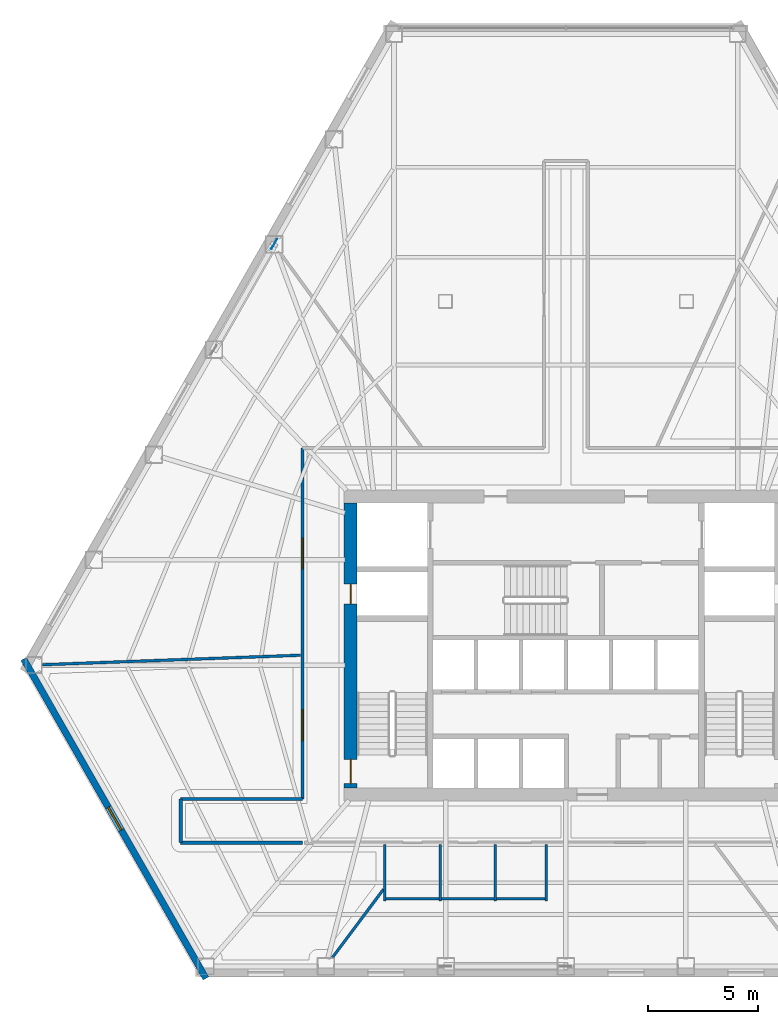
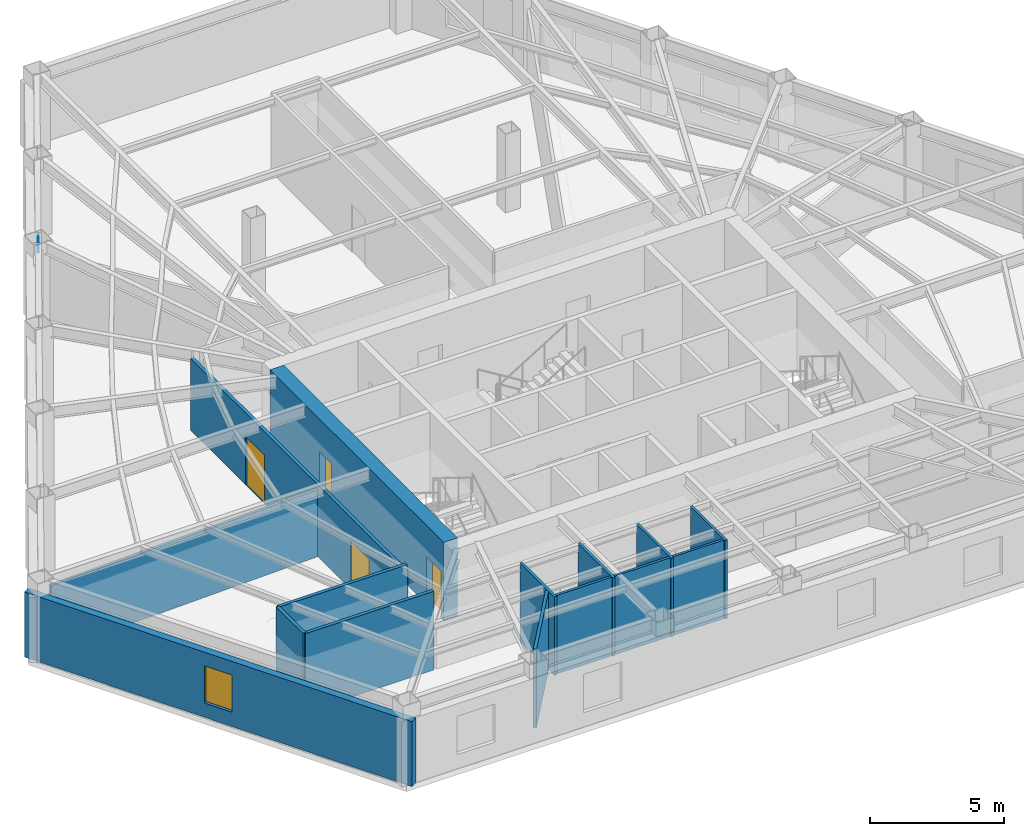
# One storey, part 6 of 12: 13 walls, 4 doors, 1 plate, 1 window, 5 openings.
"""IFC4 building model written with IfcOpenShell, lengths in metres."""

from ifc_helpers import new_model, si_unit, direction, frame, frame_2d, origin, origin_2d, place, context, subcontext, project, spatial, rectangle, extrude, material, layer, layer_set, type_object, element, fill, save


model = new_model("IFC4")

# Units and contexts
model_context = context("Model", 3, precision=1e-05, world=origin(), true_north=direction((0.0, 1.0)))
body_context = subcontext(model_context, "Body", "Model", "MODEL_VIEW")
ifc_project = project(units=[si_unit("LENGTHUNIT", "METRE"), si_unit("AREAUNIT", "SQUARE_METRE"), si_unit("VOLUMEUNIT", "CUBIC_METRE"), si_unit("PLANEANGLEUNIT", "RADIAN"), si_unit("MASSUNIT", "GRAM", prefix="KILO")], contexts=[model_context])

# Site, building, storey
site_placement = place(None, origin())
site = spatial("IfcSite", under=ifc_project, at=site_placement, CompositionType="ELEMENT")
building_placement = place(site_placement, origin())
building = spatial("IfcBuilding", under=site, at=building_placement, Name="Kavelnor Concourse Tower", CompositionType="ELEMENT")
storey_placement = place(building_placement, frame((0.0, 0.0, 21.39990234375)))
storey = spatial("IfcBuildingStorey", under=building, at=storey_placement, Name="L05", CompositionType="ELEMENT", Elevation=21.39990234375)

# Plate
ifc_material_1 = material(Name="Steel Grade 350", Category="steel")
ifc_layer_1 = layer(ifc_material_1, 0.031982421875, Name="Steel Grade 350")
ifc_layer_set_1 = layer_set([ifc_layer_1], Name="Steel Grade 350")
plate_type = type_object("IfcPlateType", Name="PL-GUSSET-TUBE-Z1", PredefinedType="USERDEFINED", material=ifc_layer_set_1)
plate_placement = place(storey_placement, frame((24.690185546875, 34.404052734375, 3.07421875), z_axis=(0.0, 0.0, 1.0), x_axis=(0.495761847839, 0.86845851382, 0.0)))
element("IfcPlate", 1, at=plate_placement, inside=storey, type_object=plate_type, Name="L05 Tube Brace Gusset GP3 F0-B2 End Gusset B", ObjectType="GUSSET_PLATE", PredefinedType="USERDEFINED", context=body_context, shape_type="SweptSolid", body=[
    extrude(rectangle(XDim=0.52001953125, YDim=0.031982421875, at=origin_2d()), origin(), (0.0, 0.0, 1.0), 0.419921875),
])

# Wall, openings, doors
ifc_material_2 = material(Name="Concrete C60/75", Category="concrete")
ifc_layer_2 = layer(ifc_material_2, 0.60009765625, Name="Concrete C60/75")
ifc_layer_set_2 = layer_set([ifc_layer_2], Name="Concrete C60/75")
wall_type_1 = type_object("IfcWallType", Name="WL-CORE-Z1-600", PredefinedType="SOLIDWALL", material=ifc_layer_set_2)
wall_1_placement = place(storey_placement, frame((28.179931640625, 9.60009765625, 0.0), z_axis=(0.0, 0.0, 1.0), x_axis=(0.0, 1.0, 0.0)))
wall_1 = element("IfcWall", 2, at=wall_1_placement, inside=storey, type_object=wall_type_1, Name="L05 Central Core West Shear Wall", PredefinedType="SOLIDWALL", context=body_context, shape_type="SweptSolid", body=[
    extrude(rectangle(XDim=13.0, YDim=0.60009765625, at=frame_2d((6.5, 0.0))), origin(), (0.0, 0.0, 1.0), 3.590087890625),
])
opening_1_placement = place(wall_1_placement, frame((0.199951171875, 0.0, 0.0)))
opening_1 = element("IfcOpeningElement", 3, at=opening_1_placement, cuts=wall_1, Name="Opening FD-110", PredefinedType="OPENING", context=body_context, shape_type="SweptSolid", body=[
    extrude(rectangle(XDim=1.10009765625, YDim=2.14990234375, at=frame_2d((0.550048828125, 1.074951171875))), frame((0.0, 0.31005859375, 0.0), z_axis=(0.0, -1.0, 0.0), x_axis=(1.0, 0.0, 0.0)), (0.0, 0.0, 1.0), 0.6201171875),
])
opening_2_placement = place(wall_1_placement, frame((8.39990234375, 0.0, 0.0)))
opening_2 = element("IfcOpeningElement", 4, at=opening_2_placement, cuts=wall_1, Name="Opening FD-090", PredefinedType="OPENING", context=body_context, shape_type="SweptSolid", body=[
    extrude(rectangle(XDim=0.89990234375, YDim=2.10009765625, at=frame_2d((0.449951171875, 1.050048828125))), frame((0.0, 0.31005859375, 0.0), z_axis=(0.0, -1.0, 0.0), x_axis=(1.0, 0.0, 0.0)), (0.0, 0.0, 1.0), 0.6201171875),
])
door_type_1 = type_object("IfcDoorType", Name="DR-RISER-FIRE-900", OperationType="NOTDEFINED", PredefinedType="DOOR", material=ifc_material_1)
door_1_placement = place(opening_2_placement, origin())
door_1 = element("IfcDoor", 5, at=door_1_placement, inside=storey, type_object=door_type_1, Name="L05 West Riser Access Door", OperationType="SINGLE_SWING_RIGHT", OverallHeight=2.10009765625, OverallWidth=0.89990234375, PredefinedType="DOOR", context=body_context, shape_type="SweptSolid", body=[
    extrude(rectangle(XDim=0.89990234375, YDim=2.10009765625, at=frame_2d((0.449951171875, 1.050048828125))), frame((0.0, 0.02490234375, 0.0), z_axis=(0.0, -1.0, 0.0), x_axis=(1.0, 0.0, 0.0)), (0.0, 0.0, 1.0), 0.050048828125),
])
fill(opening_2, door_1)
door_type_2 = type_object("IfcDoorType", Name="DR-STAIR-FIRE-1100", OperationType="NOTDEFINED", PredefinedType="DOOR", material=ifc_material_1)
door_2_placement = place(opening_1_placement, origin())
door_2 = element("IfcDoor", 6, at=door_2_placement, inside=storey, type_object=door_type_2, Name="L05 Stair ST1 Fire Door", OperationType="SINGLE_SWING_LEFT", OverallHeight=2.14990234375, OverallWidth=1.10009765625, PredefinedType="DOOR", context=body_context, shape_type="SweptSolid", body=[
    extrude(rectangle(XDim=1.10009765625, YDim=2.14990234375, at=frame_2d((0.550048828125, 1.074951171875))), frame((0.0, 0.02490234375, 0.0), z_axis=(0.0, -1.0, 0.0), x_axis=(1.0, 0.0, 0.0)), (0.0, 0.0, 1.0), 0.050048828125),
])
fill(opening_1, door_2)

# Wall, opening, window
ifc_material_3 = material(Name="Buff ironspot clay face brick masonry", Category="masonry")
ifc_layer_3 = layer(ifc_material_3, 0.300048828125, Name="Buff ironspot clay face brick masonry")
ifc_layer_set_3 = layer_set([ifc_layer_3], Name="Buff ironspot clay face brick masonry")
wall_type_2 = type_object("IfcWallType", Name="WL-EXT-BUFF-BRICK-FOLD-300", PredefinedType="STANDARD", material=ifc_layer_set_3)
wall_2_placement = place(storey_placement, frame((21.57958984375, 0.913330078125, 0.0), z_axis=(0.0, 0.0, 1.0), x_axis=(-0.495706340457, 0.868490198005, 0.0)))
wall_2 = element("IfcWall", 7, at=wall_2_placement, inside=storey, type_object=wall_type_2, Name="L05 Exterior Brick Facade Wall E2", PredefinedType="STANDARD", context=body_context, shape_type="SweptSolid", body=[
    extrude(rectangle(XDim=16.77685546875, YDim=0.300048828125, at=frame_2d((8.388427734375, 0.0))), origin(), (0.0, 0.0, 1.0), 2.97021484375),
])
opening_3_placement = place(wall_2_placement, frame((7.78857421875, 0.0, 0.64990234375)))
opening_3 = element("IfcOpeningElement", 8, at=opening_3_placement, cuts=wall_2, Name="Opening W-05", PredefinedType="OPENING", context=body_context, shape_type="SweptSolid", body=[
    extrude(rectangle(XDim=1.199951171875, YDim=1.699951171875, at=frame_2d((0.60009765625, 0.85009765625))), frame((0.0, 0.16015625, 0.0), z_axis=(0.0, -1.0, 0.0), x_axis=(1.0, 0.0, 0.0)), (0.0, 0.0, 1.0), 0.320068359375),
])
ifc_material_4 = material(Name="Double low-E argon insulated glazing", Category="glass")
window_type = type_object("IfcWindowType", Name="WIN-FOLD-1200", PartitioningType="SINGLE_PANEL", PredefinedType="WINDOW", material=ifc_material_4)
window_placement = place(opening_3_placement, origin())
window = element("IfcWindow", 9, at=window_placement, inside=storey, type_object=window_type, Name="L05 Chamfer-Fold Facet Window C1", OverallHeight=1.699951171875, OverallWidth=1.199951171875, PartitioningType="SINGLE_PANEL", PredefinedType="WINDOW", context=body_context, shape_type="SweptSolid", body=[
    extrude(rectangle(XDim=1.199951171875, YDim=1.699951171875, at=frame_2d((0.60009765625, 0.85009765625))), frame((0.0, 0.030029296875, 0.0), z_axis=(0.0, -1.0, 0.0), x_axis=(1.0, 0.0, 0.0)), (0.0, 0.0, 1.0), 0.06005859375),
])
fill(opening_3, window)

# Wall
ifc_material_5 = material(Name="Gypsum plasterboard on light-gauge steel studs", Category="steel")
ifc_layer_4 = layer(ifc_material_5, 0.14501953125, Name="Gypsum plasterboard on light-gauge steel studs")
ifc_layer_set_4 = layer_set([ifc_layer_4], Name="Gypsum plasterboard on light-gauge steel studs")
wall_type_3 = type_object("IfcWallType", Name="WL-INT-CORR-145", PredefinedType="PARTITIONING", material=ifc_layer_set_4)
wall_3_placement = place(storey_placement, frame((20.430419921875, 9.10009765625, 0.0), z_axis=(0.0, 0.0, 1.0), x_axis=(1.0, 0.0, 0.0)))
element("IfcWall", 10, at=wall_3_placement, inside=storey, type_object=wall_type_3, Name="L05 Corridor Wall WL-L05-CR-01", PredefinedType="PARTITIONING", context=body_context, shape_type="SweptSolid", body=[
    extrude(rectangle(XDim=5.549560546875, YDim=0.14501953125, at=frame_2d((2.77490234375, 0.0))), origin(), (0.0, 0.0, 1.0), 3.590087890625),
])

# Wall, openings, doors
wall_4_placement = place(storey_placement, frame((25.97998046875, 9.10009765625, 0.0), z_axis=(0.0, 0.0, 1.0), x_axis=(0.0, 1.0, 0.0)))
wall_4 = element("IfcWall", 11, at=wall_4_placement, inside=storey, type_object=wall_type_3, Name="L05 Corridor Wall WL-L05-CR-02", PredefinedType="PARTITIONING", context=body_context, shape_type="SweptSolid", body=[
    extrude(rectangle(XDim=16.0, YDim=0.14501953125, at=frame_2d((8.0, 0.0))), origin(), (0.0, 0.0, 1.0), 3.278076171875),
])
opening_4_placement = place(wall_4_placement, frame((10.491455078125, 0.0, 0.0)))
opening_4 = element("IfcOpeningElement", 12, at=opening_4_placement, cuts=wall_4, Name="Opening SD-140", PredefinedType="OPENING", context=body_context, shape_type="SweptSolid", body=[
    extrude(rectangle(XDim=1.39990234375, YDim=2.199951171875, at=frame_2d((0.699951171875, 1.10009765625))), frame((0.0, 0.08251953125, 0.0), z_axis=(0.0, -1.0, 0.0), x_axis=(1.0, 0.0, 0.0)), (0.0, 0.0, 1.0), 0.1650390625),
])
opening_5_placement = place(wall_4_placement, frame((2.66259765625, 0.0, 0.0)))
opening_5 = element("IfcOpeningElement", 13, at=opening_5_placement, cuts=wall_4, Name="Opening SD-140", PredefinedType="OPENING", context=body_context, shape_type="SweptSolid", body=[
    extrude(rectangle(XDim=1.39990234375, YDim=2.199951171875, at=frame_2d((0.699951171875, 1.10009765625))), frame((0.0, 0.08251953125, 0.0), z_axis=(0.0, -1.0, 0.0), x_axis=(1.0, 0.0, 0.0)), (0.0, 0.0, 1.0), 0.1650390625),
])
ifc_material_6 = material(Name="Solid-core hardwood timber", Category="wood")
door_type_3 = type_object("IfcDoorType", Name="DR-SUITE-ENTRY-1400", OperationType="NOTDEFINED", PredefinedType="DOOR", material=ifc_material_6)
door_3_placement = place(opening_4_placement, origin())
door_3 = element("IfcDoor", 14, at=door_3_placement, inside=storey, type_object=door_type_3, Name="L05 Staff Breakout Pantry 03 Door", OperationType="SINGLE_SWING_LEFT", OverallHeight=2.199951171875, OverallWidth=1.39990234375, PredefinedType="DOOR", context=body_context, shape_type="SweptSolid", body=[
    extrude(rectangle(XDim=1.39990234375, YDim=2.199951171875, at=frame_2d((0.699951171875, 1.10009765625))), frame((0.0, 0.02490234375, 0.0), z_axis=(0.0, -1.0, 0.0), x_axis=(1.0, 0.0, 0.0)), (0.0, 0.0, 1.0), 0.050048828125),
])
fill(opening_4, door_3)
door_4_placement = place(opening_5_placement, origin())
door_4 = element("IfcDoor", 15, at=door_4_placement, inside=storey, type_object=door_type_3, Name="L05 Workplace Open Office 04 Door", OperationType="SINGLE_SWING_RIGHT", OverallHeight=2.199951171875, OverallWidth=1.39990234375, PredefinedType="DOOR", context=body_context, shape_type="SweptSolid", body=[
    extrude(rectangle(XDim=1.39990234375, YDim=2.199951171875, at=frame_2d((0.699951171875, 1.10009765625))), frame((0.0, 0.02490234375, 0.0), z_axis=(0.0, -1.0, 0.0), x_axis=(1.0, 0.0, 0.0)), (0.0, 0.0, 1.0), 0.050048828125),
])
fill(opening_5, door_4)

# Walls
wall_5_placement = place(storey_placement, frame((25.97998046875, 7.10009765625, 0.0), z_axis=(0.0, 0.0, 1.0), x_axis=(-1.0, 0.0, 0.0)))
element("IfcWall", 16, at=wall_5_placement, inside=storey, type_object=wall_type_3, Name="L05 Corridor Wall WL-L05-CR-13", PredefinedType="PARTITIONING", context=body_context, shape_type="SweptSolid", body=[
    extrude(rectangle(XDim=5.549560546875, YDim=0.14501953125, at=frame_2d((2.77490234375, 0.0))), origin(), (0.0, 0.0, 1.0), 3.590087890625),
])
wall_6_placement = place(storey_placement, frame((20.430419921875, 7.10009765625, 0.0), z_axis=(0.0, 0.0, 1.0), x_axis=(0.0, 1.0, 0.0)))
element("IfcWall", 17, at=wall_6_placement, inside=storey, type_object=wall_type_3, Name="L05 Corridor Wall WL-L05-CR-14", PredefinedType="PARTITIONING", context=body_context, shape_type="SweptSolid", body=[
    extrude(rectangle(XDim=2.0, YDim=0.14501953125, at=frame_2d((1.0, 0.0))), origin(), (0.0, 0.0, 1.0), 3.590087890625),
])
ifc_layer_5 = layer(ifc_material_5, 0.125, Name="Gypsum plasterboard on light-gauge steel studs")
ifc_layer_set_5 = layer_set([ifc_layer_5], Name="Gypsum plasterboard on light-gauge steel studs")
wall_type_4 = type_object("IfcWallType", Name="WL-INT-SUITE-125", PredefinedType="PARTITIONING", material=ifc_layer_set_5)
wall_7_placement = place(storey_placement, frame((25.8994140625, 15.654296875, 0.0), z_axis=(0.0, 0.0, 1.0), x_axis=(-0.999322388706, -0.036807111154, 0.0)))
element("IfcWall", 18, at=wall_7_placement, inside=storey, type_object=wall_type_4, Name="L05 Radial Suite Partition 04", PredefinedType="PARTITIONING", context=body_context, shape_type="SweptSolid", body=[
    extrude(rectangle(XDim=11.786865234375, YDim=0.125, at=frame_2d((5.8935546875, 0.0))), origin(), (0.0, 0.0, 1.0), 3.05712890625),
])
wall_8_placement = place(storey_placement, frame((29.677001953125, 4.97314453125, 0.0), z_axis=(0.0, 0.0, 1.0), x_axis=(-0.598981151393, -0.800763123699, 0.0)))
element("IfcWall", 19, at=wall_8_placement, inside=storey, type_object=wall_type_4, Name="L05 Radial Suite Partition 05", PredefinedType="PARTITIONING", context=body_context, shape_type="SweptSolid", body=[
    extrude(rectangle(XDim=3.874267578125, YDim=0.125, at=frame_2d((1.93701171875, 0.0))), origin(), (0.0, 0.0, 1.0), 3.590087890625),
])
ifc_layer_6 = layer(ifc_material_5, 0.110107421875, Name="Gypsum plasterboard on light-gauge steel studs")
ifc_layer_set_6 = layer_set([ifc_layer_6], Name="Gypsum plasterboard on light-gauge steel studs")
wall_type_5 = type_object("IfcWallType", Name="WL-INT-WC-110", PredefinedType="PLUMBINGWALL", material=ifc_layer_set_6)
for number, where, z_axis, x_axis, name in (
    (20, (29.739990234375, 4.449951171875, 0.0), (0.0, 0.0, 1.0), (0.0, 1.0, 0.0), "L05 Sanitary Partition WL-L05-WC-W"),
    (21, (32.260009765625, 4.449951171875, 0.0), (0.0, 0.0, 1.0), (0.0, 1.0, 0.0), "L05 Sanitary Partition WL-L05-WC-D1"),
    (22, (34.780029296875, 4.449951171875, 0.0), (0.0, 0.0, 1.0), (0.0, 1.0, 0.0), "L05 Sanitary Partition WL-L05-WC-D2"),
    (23, (37.10009765625, 4.449951171875, 0.0), (0.0, 0.0, 1.0), (0.0, 1.0, 0.0), "L05 Sanitary Partition WL-L05-WC-E"),
):
    element("IfcWall", number, at=place(storey_placement, frame(where, z_axis=z_axis, x_axis=x_axis)), inside=storey, type_object=wall_type_5, Name=name, PredefinedType="PLUMBINGWALL", context=body_context, shape_type="SweptSolid", body=[
        extrude(rectangle(XDim=2.580078125, YDim=0.110107421875, at=frame_2d((1.2900390625, 0.0))), origin(), (0.0, 0.0, 1.0), 3.590087890625),
    ])
wall_9_placement = place(storey_placement, frame((29.68994140625, 4.550048828125, 0.0), z_axis=(0.0, 0.0, 1.0), x_axis=(1.0, 0.0, 0.0)))
element("IfcWall", 24, at=wall_9_placement, inside=storey, type_object=wall_type_5, Name="L05 Sanitary Partition WL-L05-WC-S", PredefinedType="PLUMBINGWALL", context=body_context, shape_type="SweptSolid", body=[
    extrude(rectangle(XDim=7.4599609375, YDim=0.110107421875, at=frame_2d((3.72998046875, 0.0))), origin(), (0.0, 0.0, 1.0), 3.590087890625),
])

save(model, "model.ifc")
